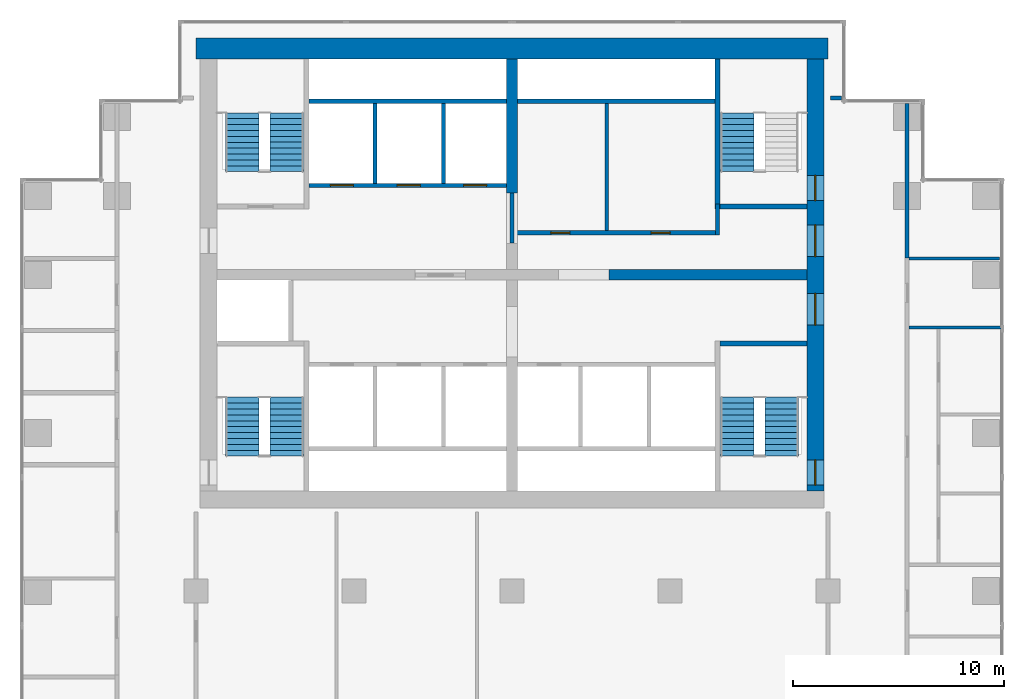
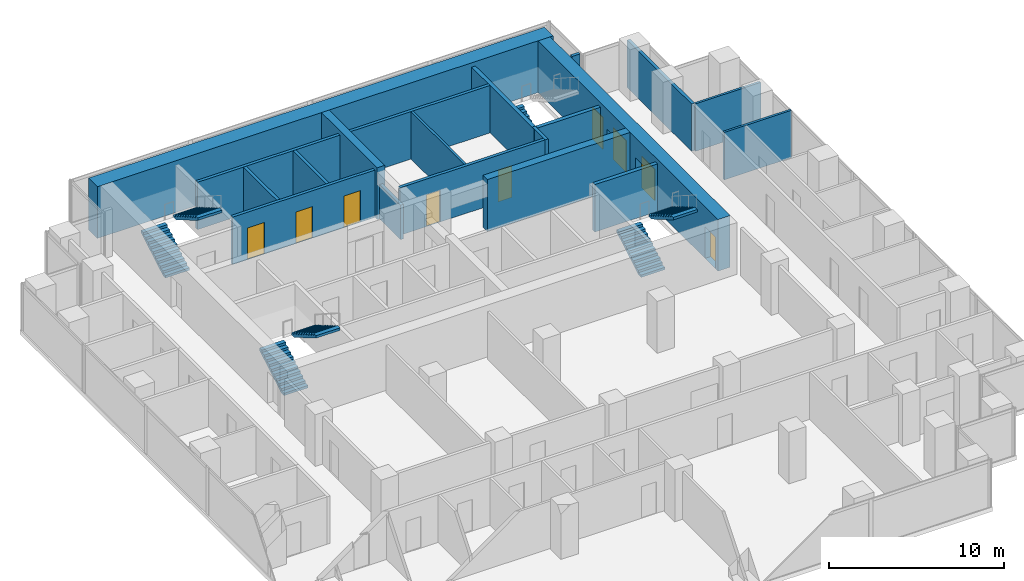
# One storey, part 9 of 11: 20 walls, 9 doors, 7 stair flights, 9 openings, 4 elements without a shape of their own.
"""IFC4 building model written with IfcOpenShell, lengths in metres."""

from ifc_helpers import new_model, si_unit, direction, frame, frame_2d, origin, place, context, subcontext, project, spatial, polyline, rectangle, outline, extrude, material, layer, layer_set, type_object, element, fill, aggregate, save


model = new_model("IFC4")

# Units and contexts
model_context = context("Model", 3, precision=1e-05, world=origin(), true_north=direction((0.0, 1.0)))
body_context = subcontext(model_context, "Body", "Model", "MODEL_VIEW")
ifc_project = project(units=[si_unit("LENGTHUNIT", "METRE"), si_unit("AREAUNIT", "SQUARE_METRE"), si_unit("VOLUMEUNIT", "CUBIC_METRE"), si_unit("PLANEANGLEUNIT", "RADIAN"), si_unit("MASSUNIT", "GRAM", prefix="KILO")], contexts=[model_context])

# Site, building, storey
site_placement = place(None, origin())
site = spatial("IfcSite", under=ifc_project, at=site_placement, CompositionType="ELEMENT")
building_placement = place(site_placement, origin())
building = spatial("IfcBuilding", under=site, at=building_placement, Name="Pilkhan Gate Tower", CompositionType="ELEMENT")
storey_placement = place(building_placement, frame((0.0, 0.0, 121.60009765625)))
storey = spatial("IfcBuildingStorey", under=building, at=storey_placement, Name="L30", CompositionType="ELEMENT", Elevation=121.60009765625)

# Wall
ifc_material_1 = material(Name="Concrete C60/75", Category="concrete")
ifc_layer_1 = layer(ifc_material_1, 1.0)
ifc_layer_set_1 = layer_set([ifc_layer_1], Name="Core wall CW1000 C60/75")
wall_type_1 = type_object("IfcWallType", Name="Core wall CW1000 C60/75", PredefinedType="SHEAR", material=ifc_layer_set_1)
wall_1_placement = place(storey_placement, frame((90.0, 93.25, 0.0), z_axis=(0.0, 0.0, 1.0), x_axis=(-1.0, 0.0, 0.0)))
element("IfcWall", 1, at=wall_1_placement, inside=storey, type_object=wall_type_1, Name="Core wall N L30", PredefinedType="SHEAR", context=body_context, shape_type="SweptSolid", body=[
    extrude(rectangle(XDim=30.0, YDim=1.0, at=frame_2d((15.0, 0.0))), origin(), (0.0, 0.0, 1.0), 3.599853515625),
])

# Wall, openings, doors
ifc_layer_2 = layer(ifc_material_1, 0.800048828125)
ifc_layer_set_2 = layer_set([ifc_layer_2], Name="Core wall CW800 C60/75")
wall_type_2 = type_object("IfcWallType", Name="Core wall CW800 C60/75", PredefinedType="SHEAR", material=ifc_layer_set_2)
wall_2_placement = place(storey_placement, frame((89.39990234375, 72.25, 0.0), z_axis=(0.0, 0.0, 1.0), x_axis=(0.0, 1.0, 0.0)))
wall_2 = element("IfcWall", 2, at=wall_2_placement, inside=storey, type_object=wall_type_2, Name="Core wall E L30", PredefinedType="SHEAR", context=body_context, shape_type="SweptSolid", body=[
    extrude(rectangle(XDim=20.5, YDim=0.800048828125, at=frame_2d((10.25, 0.0))), origin(), (0.0, 0.0, 1.0), 3.599853515625),
])
opening_1_placement = place(wall_2_placement, frame((0.27490234375, 0.0, 0.0)))
opening_1 = element("IfcOpeningElement", 3, at=opening_1_placement, cuts=wall_2, Name="Opening L30-03", PredefinedType="OPENING", context=body_context, shape_type="SweptSolid", body=[
    extrude(rectangle(XDim=1.199951171875, YDim=2.199951171875, at=frame_2d((0.60009765625, 1.10009765625))), frame((0.0, 0.409912109375, 0.0), z_axis=(0.0, -1.0, 0.0), x_axis=(1.0, 0.0, 0.0)), (0.0, 0.0, 1.0), 0.820068359375),
])
opening_2_placement = place(wall_2_placement, frame((13.77490234375, 0.0, 0.0)))
opening_2 = element("IfcOpeningElement", 4, at=opening_2_placement, cuts=wall_2, Name="Opening L30-05", PredefinedType="OPENING", context=body_context, shape_type="SweptSolid", body=[
    extrude(rectangle(XDim=1.199951171875, YDim=2.199951171875, at=frame_2d((0.60009765625, 1.10009765625))), frame((0.0, 0.409912109375, 0.0), z_axis=(0.0, -1.0, 0.0), x_axis=(1.0, 0.0, 0.0)), (0.0, 0.0, 1.0), 0.820068359375),
])
opening_3_placement = place(wall_2_placement, frame((7.875, 0.0, 0.0)))
opening_3 = element("IfcOpeningElement", 5, at=opening_3_placement, cuts=wall_2, Name="Opening L30-13", PredefinedType="OPENING", context=body_context, shape_type="SweptSolid", body=[
    extrude(rectangle(XDim=1.5, YDim=2.199951171875, at=frame_2d((0.75, 1.10009765625))), frame((0.0, 0.409912109375, 0.0), z_axis=(0.0, -1.0, 0.0), x_axis=(1.0, 0.0, 0.0)), (0.0, 0.0, 1.0), 0.820068359375),
])
opening_4_placement = place(wall_2_placement, frame((11.125, 0.0, 0.0)))
opening_4 = element("IfcOpeningElement", 6, at=opening_4_placement, cuts=wall_2, Name="Opening L30-15", PredefinedType="OPENING", context=body_context, shape_type="SweptSolid", body=[
    extrude(rectangle(XDim=1.5, YDim=2.199951171875, at=frame_2d((0.75, 1.10009765625))), frame((0.0, 0.409912109375, 0.0), z_axis=(0.0, -1.0, 0.0), x_axis=(1.0, 0.0, 0.0)), (0.0, 0.0, 1.0), 0.820068359375),
])
ifc_material_2 = material(Name="Steel framed glazed door, 60 minute fire resisting", Category="steel")
door_type_1 = type_object("IfcDoorType", Name="Lobby door D09 1500x2200", OperationType="DOUBLE_DOOR_SINGLE_SWING", PredefinedType="DOOR", material=ifc_material_2)
door_1_placement = place(opening_3_placement, origin())
door_1 = element("IfcDoor", 7, at=door_1_placement, inside=storey, type_object=door_type_1, Name="Core door", OperationType="DOUBLE_DOOR_SINGLE_SWING", OverallHeight=2.199951171875, OverallWidth=1.5, PredefinedType="DOOR", context=body_context, shape_type="SweptSolid", body=[
    extrude(rectangle(XDim=1.5, YDim=2.199951171875, at=frame_2d((0.75, 1.10009765625))), frame((0.0, 0.02490234375, 0.0), z_axis=(0.0, -1.0, 0.0), x_axis=(1.0, 0.0, 0.0)), (0.0, 0.0, 1.0), 0.050048828125),
])
fill(opening_3, door_1)
door_2_placement = place(opening_4_placement, origin())
door_2 = element("IfcDoor", 8, at=door_2_placement, inside=storey, type_object=door_type_1, Name="Core door", OperationType="DOUBLE_DOOR_SINGLE_SWING", OverallHeight=2.199951171875, OverallWidth=1.5, PredefinedType="DOOR", context=body_context, shape_type="SweptSolid", body=[
    extrude(rectangle(XDim=1.5, YDim=2.199951171875, at=frame_2d((0.75, 1.10009765625))), frame((0.0, 0.02490234375, 0.0), z_axis=(0.0, -1.0, 0.0), x_axis=(1.0, 0.0, 0.0)), (0.0, 0.0, 1.0), 0.050048828125),
])
fill(opening_4, door_2)
ifc_material_3 = material(Name="Steel door, 120 minute fire resisting, panic bar", Category="steel")
door_type_2 = type_object("IfcDoorType", Name="Stair door D11 1200x2200", OperationType="SINGLE_SWING_LEFT", PredefinedType="DOOR", material=ifc_material_3)
door_3_placement = place(opening_1_placement, origin())
door_3 = element("IfcDoor", 9, at=door_3_placement, inside=storey, type_object=door_type_2, Name="Stair ST1 door", OperationType="SINGLE_SWING_LEFT", OverallHeight=2.199951171875, OverallWidth=1.199951171875, PredefinedType="DOOR", context=body_context, shape_type="SweptSolid", body=[
    extrude(rectangle(XDim=1.199951171875, YDim=2.199951171875, at=frame_2d((0.60009765625, 1.10009765625))), frame((0.0, 0.02490234375, 0.0), z_axis=(0.0, -1.0, 0.0), x_axis=(1.0, 0.0, 0.0)), (0.0, 0.0, 1.0), 0.050048828125),
])
fill(opening_1, door_3)
door_4_placement = place(opening_2_placement, origin())
door_4 = element("IfcDoor", 10, at=door_4_placement, inside=storey, type_object=door_type_2, Name="Stair ST4 door", OperationType="SINGLE_SWING_LEFT", OverallHeight=2.199951171875, OverallWidth=1.199951171875, PredefinedType="DOOR", context=body_context, shape_type="SweptSolid", body=[
    extrude(rectangle(XDim=1.199951171875, YDim=2.199951171875, at=frame_2d((0.60009765625, 1.10009765625))), frame((0.0, 0.02490234375, 0.0), z_axis=(0.0, -1.0, 0.0), x_axis=(1.0, 0.0, 0.0)), (0.0, 0.0, 1.0), 0.050048828125),
])
fill(opening_2, door_4)

# Walls
ifc_material_4 = material(Name="Dense blockwork", Category="masonry")
ifc_layer_3 = layer(ifc_material_4, 0.199951171875)
ifc_layer_set_3 = layer_set([ifc_layer_3], Name="Corridor wall FW200")
wall_type_3 = type_object("IfcWallType", Name="Corridor wall FW200", PredefinedType="PARTITIONING", material=ifc_layer_set_3)
wall_3_placement = place(storey_placement, frame((90.1201171875, 90.89990234375, 0.0), z_axis=(0.0, 0.0, 1.0), x_axis=(1.0, 0.0, 0.0)))
element("IfcWall", 11, at=wall_3_placement, inside=storey, type_object=wall_type_3, Name="Partition L30", PredefinedType="PARTITIONING", context=body_context, shape_type="SweptSolid", body=[
    extrude(rectangle(XDim=0.52490234375, YDim=0.199951171875, at=frame_2d((0.262451171875, 0.0))), origin(), (0.0, 0.0, 1.0), 3.2998046875),
])
wall_4_placement = place(storey_placement, frame((93.75, 83.31005859375, 0.0), z_axis=(0.0, 0.0, 1.0), x_axis=(0.0, 1.0, 0.0)))
element("IfcWall", 12, at=wall_4_placement, inside=storey, type_object=wall_type_3, Name="Partition L30", PredefinedType="PARTITIONING", context=body_context, shape_type="SweptSolid", body=[
    extrude(rectangle(XDim=7.3349609375, YDim=0.199951171875, at=frame_2d((3.66748046875, 0.0))), origin(), (0.0, 0.0, 1.0), 3.2998046875),
])

# Wall, openings, doors
ifc_layer_4 = layer(ifc_material_4, 0.199951171875)
ifc_layer_set_4 = layer_set([ifc_layer_4], Name="Lobby wall LW200")
wall_type_4 = type_object("IfcWallType", Name="Lobby wall LW200", PredefinedType="PARTITIONING", material=ifc_layer_set_4)
wall_5_placement = place(storey_placement, frame((75.10009765625, 84.5, 0.0), z_axis=(0.0, 0.0, 1.0), x_axis=(1.0, 0.0, 0.0)))
wall_5 = element("IfcWall", 13, at=wall_5_placement, inside=storey, type_object=wall_type_4, Name="Partition L30", PredefinedType="PARTITIONING", context=body_context, shape_type="SweptSolid", body=[
    extrude(rectangle(XDim=9.5498046875, YDim=0.199951171875, at=frame_2d((4.77490234375, 0.0))), origin(), (0.0, 0.0, 1.0), 3.2998046875),
])
opening_5_placement = place(wall_5_placement, frame((1.75, 0.0, 0.0)))
opening_5 = element("IfcOpeningElement", 14, at=opening_5_placement, cuts=wall_5, Name="Opening L30-16", PredefinedType="OPENING", context=body_context, shape_type="SweptSolid", body=[
    extrude(rectangle(XDim=0.89990234375, YDim=2.199951171875, at=frame_2d((0.449951171875, 1.10009765625))), frame((0.0, 0.10986328125, 0.0), z_axis=(0.0, -1.0, 0.0), x_axis=(1.0, 0.0, 0.0)), (0.0, 0.0, 1.0), 0.219970703125),
])
opening_6_placement = place(wall_5_placement, frame((6.5, 0.0, 0.0)))
opening_6 = element("IfcOpeningElement", 15, at=opening_6_placement, cuts=wall_5, Name="Opening L30-17", PredefinedType="OPENING", context=body_context, shape_type="SweptSolid", body=[
    extrude(rectangle(XDim=0.89990234375, YDim=2.199951171875, at=frame_2d((0.449951171875, 1.10009765625))), frame((0.0, 0.10986328125, 0.0), z_axis=(0.0, -1.0, 0.0), x_axis=(1.0, 0.0, 0.0)), (0.0, 0.0, 1.0), 0.219970703125),
])
ifc_material_5 = material(Name="Timber flush door, 60 minute fire resisting, self-closing", Category="wood")
door_type_3 = type_object("IfcDoorType", Name="Store door D05 900x2200", OperationType="SINGLE_SWING_LEFT", PredefinedType="DOOR", material=ifc_material_5)
door_5_placement = place(opening_5_placement, origin())
door_5 = element("IfcDoor", 16, at=door_5_placement, inside=storey, type_object=door_type_3, Name="Store door", OperationType="SINGLE_SWING_RIGHT", OverallHeight=2.199951171875, OverallWidth=0.89990234375, PredefinedType="DOOR", context=body_context, shape_type="SweptSolid", body=[
    extrude(rectangle(XDim=0.89990234375, YDim=2.199951171875, at=frame_2d((0.449951171875, 1.10009765625))), frame((0.0, 0.02490234375, 0.0), z_axis=(0.0, -1.0, 0.0), x_axis=(1.0, 0.0, 0.0)), (0.0, 0.0, 1.0), 0.050048828125),
])
fill(opening_5, door_5)
door_6_placement = place(opening_6_placement, origin())
door_6 = element("IfcDoor", 17, at=door_6_placement, inside=storey, type_object=door_type_3, Name="Store door", OperationType="SINGLE_SWING_RIGHT", OverallHeight=2.199951171875, OverallWidth=0.89990234375, PredefinedType="DOOR", context=body_context, shape_type="SweptSolid", body=[
    extrude(rectangle(XDim=0.89990234375, YDim=2.199951171875, at=frame_2d((0.449951171875, 1.10009765625))), frame((0.0, 0.02490234375, 0.0), z_axis=(0.0, -1.0, 0.0), x_axis=(1.0, 0.0, 0.0)), (0.0, 0.0, 1.0), 0.050048828125),
])
fill(opening_6, door_6)

# Walls
wall_6_placement = place(storey_placement, frame((75.260009765625, 90.75, 0.0), z_axis=(0.0, 0.0, 1.0), x_axis=(1.0, 0.0, 0.0)))
element("IfcWall", 18, at=wall_6_placement, inside=storey, type_object=wall_type_4, Name="Partition L30", PredefinedType="PARTITIONING", context=body_context, shape_type="SweptSolid", body=[
    extrude(rectangle(XDim=9.364990234375, YDim=0.199951171875, at=frame_2d((4.6826171875, 0.0))), origin(), (0.0, 0.0, 1.0), 3.2998046875),
])
wall_7_placement = place(storey_placement, frame((75.0, 84.010009765625, 0.0), z_axis=(0.0, 0.0, 1.0), x_axis=(0.0, 1.0, 0.0)))
element("IfcWall", 19, at=wall_7_placement, inside=storey, type_object=wall_type_4, Name="Partition L30", PredefinedType="PARTITIONING", context=body_context, shape_type="SweptSolid", body=[
    extrude(rectangle(XDim=2.3798828125, YDim=0.199951171875, at=frame_2d((1.18994140625, 0.0))), origin(), (0.0, 0.0, 1.0), 2.39990234375),
])
wall_8_placement = place(storey_placement, frame((84.75, 84.39990234375, 0.0), z_axis=(0.0, 0.0, 1.0), x_axis=(0.0, 1.0, 0.0)))
element("IfcWall", 20, at=wall_8_placement, inside=storey, type_object=wall_type_4, Name="Partition L30", PredefinedType="PARTITIONING", context=body_context, shape_type="SweptSolid", body=[
    extrude(rectangle(XDim=1.47509765625, YDim=0.199951171875, at=frame_2d((0.737548828125, 0.0))), origin(), (0.0, 0.0, 1.0), 3.2998046875),
])
ifc_material_6 = material(Name="Blockwork partition, plastered both sides", Category="masonry")
ifc_layer_5 = layer(ifc_material_6, 0.14990234375)
ifc_layer_set_5 = layer_set([ifc_layer_5], Name="Partition PW150")
wall_type_5 = type_object("IfcWallType", Name="Partition PW150", PredefinedType="PARTITIONING", material=ifc_layer_set_5)
wall_9_placement = place(storey_placement, frame((93.85009765625, 80.0, 0.0), z_axis=(0.0, 0.0, 1.0), x_axis=(1.0, 0.0, 0.0)))
element("IfcWall", 21, at=wall_9_placement, inside=storey, type_object=wall_type_5, Name="Partition L30", PredefinedType="PARTITIONING", context=body_context, shape_type="SweptSolid", body=[
    extrude(rectangle(XDim=4.414794921875, YDim=0.14990234375, at=frame_2d((2.20751953125, 0.0))), origin(), (0.0, 0.0, 1.0), 3.2998046875),
])
wall_10_placement = place(storey_placement, frame((93.85009765625, 83.280029296875, 0.0), z_axis=(0.0, 0.0, 1.0), x_axis=(1.0, 0.0, 0.0)))
element("IfcWall", 22, at=wall_10_placement, inside=storey, type_object=wall_type_5, Name="Partition L30", PredefinedType="PARTITIONING", context=body_context, shape_type="SweptSolid", body=[
    extrude(rectangle(XDim=4.294921875, YDim=0.14990234375, at=frame_2d((2.1474609375, 0.0))), origin(), (0.0, 0.0, 1.0), 3.2998046875),
])
wall_11_placement = place(storey_placement, frame((79.5, 84.60009765625, 0.0), z_axis=(0.0, 0.0, 1.0), x_axis=(0.0, 1.0, 0.0)))
element("IfcWall", 23, at=wall_11_placement, inside=storey, type_object=wall_type_5, Name="Partition L30", PredefinedType="PARTITIONING", context=body_context, shape_type="SweptSolid", body=[
    extrude(rectangle(XDim=6.0498046875, YDim=0.14990234375, at=frame_2d((3.02490234375, 0.0))), origin(), (0.0, 0.0, 1.0), 3.2998046875),
])

# Wall, openings, doors
ifc_material_7 = material(Name="Reinforced blockwork shaft wall, 120 minute fire resisting", Category="masonry")
ifc_layer_6 = layer(ifc_material_7, 0.199951171875)
ifc_layer_set_6 = layer_set([ifc_layer_6], Name="Shaft wall SW200")
wall_type_6 = type_object("IfcWallType", Name="Shaft wall SW200", PredefinedType="PARTITIONING", material=ifc_layer_set_6)
wall_12_placement = place(storey_placement, frame((65.375, 86.75, 0.0), z_axis=(0.0, 0.0, 1.0), x_axis=(1.0, 0.0, 0.0)))
wall_12 = element("IfcWall", 24, at=wall_12_placement, inside=storey, type_object=wall_type_6, Name="Partition L30", PredefinedType="PARTITIONING", context=body_context, shape_type="SweptSolid", body=[
    extrude(rectangle(XDim=9.364990234375, YDim=0.199951171875, at=frame_2d((4.6826171875, 0.0))), origin(), (0.0, 0.0, 1.0), 3.2998046875),
])
opening_7_placement = place(wall_12_placement, frame((1.0, 0.0, 0.0)))
opening_7 = element("IfcOpeningElement", 25, at=opening_7_placement, cuts=wall_12, Name="Opening LD", PredefinedType="OPENING", context=body_context, shape_type="SweptSolid", body=[
    extrude(rectangle(XDim=1.10009765625, YDim=2.199951171875, at=frame_2d((0.550048828125, 1.10009765625))), frame((0.0, 0.10986328125, 0.0), z_axis=(0.0, -1.0, 0.0), x_axis=(1.0, 0.0, 0.0)), (0.0, 0.0, 1.0), 0.219970703125),
])
opening_8_placement = place(wall_12_placement, frame((4.175048828125, 0.0, 0.0)))
opening_8 = element("IfcOpeningElement", 26, at=opening_8_placement, cuts=wall_12, Name="Opening LD", PredefinedType="OPENING", context=body_context, shape_type="SweptSolid", body=[
    extrude(rectangle(XDim=1.10009765625, YDim=2.199951171875, at=frame_2d((0.550048828125, 1.10009765625))), frame((0.0, 0.10986328125, 0.0), z_axis=(0.0, -1.0, 0.0), x_axis=(1.0, 0.0, 0.0)), (0.0, 0.0, 1.0), 0.219970703125),
])
opening_9_placement = place(wall_12_placement, frame((7.324951171875, 0.0, 0.0)))
opening_9 = element("IfcOpeningElement", 27, at=opening_9_placement, cuts=wall_12, Name="Opening LD", PredefinedType="OPENING", context=body_context, shape_type="SweptSolid", body=[
    extrude(rectangle(XDim=1.10009765625, YDim=2.199951171875, at=frame_2d((0.550048828125, 1.10009765625))), frame((0.0, 0.10986328125, 0.0), z_axis=(0.0, -1.0, 0.0), x_axis=(1.0, 0.0, 0.0)), (0.0, 0.0, 1.0), 0.219970703125),
])
ifc_material_8 = material(Name="Stainless steel centre-opening landing door, 120 minute fire resisting", Category="steel")
door_type_4 = type_object("IfcDoorType", Name="Lift landing door LD 1100x2200", OperationType="DOUBLE_DOOR_SLIDING", PredefinedType="DOOR", material=ifc_material_8)
door_7_placement = place(opening_7_placement, origin())
door_7 = element("IfcDoor", 28, at=door_7_placement, inside=storey, type_object=door_type_4, Name="Landing door FF1", OperationType="DOUBLE_DOOR_SLIDING", OverallHeight=2.199951171875, OverallWidth=1.10009765625, PredefinedType="DOOR", context=body_context, shape_type="SweptSolid", body=[
    extrude(rectangle(XDim=1.10009765625, YDim=2.199951171875, at=frame_2d((0.550048828125, 1.10009765625))), frame((0.0, 0.02490234375, 0.0), z_axis=(0.0, -1.0, 0.0), x_axis=(1.0, 0.0, 0.0)), (0.0, 0.0, 1.0), 0.050048828125),
])
fill(opening_7, door_7)
door_8_placement = place(opening_8_placement, origin())
door_8 = element("IfcDoor", 29, at=door_8_placement, inside=storey, type_object=door_type_4, Name="Landing door FF2", OperationType="DOUBLE_DOOR_SLIDING", OverallHeight=2.199951171875, OverallWidth=1.10009765625, PredefinedType="DOOR", context=body_context, shape_type="SweptSolid", body=[
    extrude(rectangle(XDim=1.10009765625, YDim=2.199951171875, at=frame_2d((0.550048828125, 1.10009765625))), frame((0.0, 0.02490234375, 0.0), z_axis=(0.0, -1.0, 0.0), x_axis=(1.0, 0.0, 0.0)), (0.0, 0.0, 1.0), 0.050048828125),
])
fill(opening_8, door_8)
door_9_placement = place(opening_9_placement, origin())
door_9 = element("IfcDoor", 30, at=door_9_placement, inside=storey, type_object=door_type_4, Name="Landing door SV1", OperationType="DOUBLE_DOOR_SLIDING", OverallHeight=2.199951171875, OverallWidth=1.10009765625, PredefinedType="DOOR", context=body_context, shape_type="SweptSolid", body=[
    extrude(rectangle(XDim=1.10009765625, YDim=2.199951171875, at=frame_2d((0.550048828125, 1.10009765625))), frame((0.0, 0.02490234375, 0.0), z_axis=(0.0, -1.0, 0.0), x_axis=(1.0, 0.0, 0.0)), (0.0, 0.0, 1.0), 0.050048828125),
])
fill(opening_9, door_9)

# Walls
wall_13_placement = place(storey_placement, frame((65.375, 90.75, 0.0), z_axis=(0.0, 0.0, 1.0), x_axis=(1.0, 0.0, 0.0)))
element("IfcWall", 31, at=wall_13_placement, inside=storey, type_object=wall_type_6, Name="Partition L30", PredefinedType="PARTITIONING", context=body_context, shape_type="SweptSolid", body=[
    extrude(rectangle(XDim=9.364990234375, YDim=0.199951171875, at=frame_2d((4.6826171875, 0.0))), origin(), (0.0, 0.0, 1.0), 3.2998046875),
])
for number, where, z_axis, x_axis, name in (
    (32, (68.5, 86.85009765625, 0.0), (0.0, 0.0, 1.0), (0.0, 1.0, 0.0), "Partition L30"),
    (33, (71.75, 86.85009765625, 0.0), (0.0, 0.0, 1.0), (0.0, 1.0, 0.0), "Partition L30"),
):
    element("IfcWall", number, at=place(storey_placement, frame(where, z_axis=z_axis, x_axis=x_axis)), inside=storey, type_object=wall_type_6, Name=name, PredefinedType="PARTITIONING", context=body_context, shape_type="SweptSolid", body=[
        extrude(rectangle(XDim=3.7998046875, YDim=0.199951171875, at=frame_2d((1.89990234375, 0.0))), origin(), (0.0, 0.0, 1.0), 3.2998046875),
    ])
ifc_layer_7 = layer(ifc_material_1, 0.5)
ifc_layer_set_7 = layer_set([ifc_layer_7], Name="Spine wall SW500 C60/75")
wall_type_7 = type_object("IfcWallType", Name="Spine wall SW500 C60/75", PredefinedType="SHEAR", material=ifc_layer_set_7)
wall_14_placement = place(storey_placement, frame((79.60009765625, 82.5, 0.0), z_axis=(0.0, 0.0, 1.0), x_axis=(1.0, 0.0, 0.0)))
element("IfcWall", 34, at=wall_14_placement, inside=storey, type_object=wall_type_7, Name="Spine wall SP-EW3 L30", PredefinedType="SHEAR", context=body_context, shape_type="SweptSolid", body=[
    extrude(rectangle(XDim=9.39990234375, YDim=0.5, at=frame_2d((4.699951171875, 0.0))), origin(), (0.0, 0.0, 1.0), 3.599853515625),
])
wall_15_placement = place(storey_placement, frame((75.0, 86.39990234375, 0.0), z_axis=(0.0, 0.0, 1.0), x_axis=(0.0, 1.0, 0.0)))
element("IfcWall", 35, at=wall_15_placement, inside=storey, type_object=wall_type_7, Name="Spine wall SP-NS-N2 L30", PredefinedType="SHEAR", context=body_context, shape_type="SweptSolid", body=[
    extrude(rectangle(XDim=6.35009765625, YDim=0.5, at=frame_2d((3.175048828125, 0.0))), origin(), (0.0, 0.0, 1.0), 3.599853515625),
])
ifc_material_9 = material(Name="Reinforced blockwork, 120 minute fire resisting", Category="masonry")
ifc_layer_8 = layer(ifc_material_9, 0.25)
ifc_layer_set_8 = layer_set([ifc_layer_8], Name="Stair enclosure wall SE250")
wall_type_8 = type_object("IfcWallType", Name="Stair enclosure wall SE250", PredefinedType="PARTITIONING", material=ifc_layer_set_8)
for number, where, z_axis, x_axis, name in (
    (36, (84.875, 79.25, 0.0), (0.0, 0.0, 1.0), (1.0, 0.0, 0.0), "Partition L30"),
    (37, (84.875, 85.75, 0.0), (0.0, 0.0, 1.0), (1.0, 0.0, 0.0), "Partition L30"),
):
    element("IfcWall", number, at=place(storey_placement, frame(where, z_axis=z_axis, x_axis=x_axis)), inside=storey, type_object=wall_type_8, Name=name, PredefinedType="PARTITIONING", context=body_context, shape_type="SweptSolid", body=[
        extrude(rectangle(XDim=4.125, YDim=0.25, at=frame_2d((2.0625, 0.0))), origin(), (0.0, 0.0, 1.0), 3.2998046875),
    ])
wall_16_placement = place(storey_placement, frame((84.75, 85.625, 0.0), z_axis=(0.0, 0.0, 1.0), x_axis=(0.0, 1.0, 0.0)))
element("IfcWall", 38, at=wall_16_placement, inside=storey, type_object=wall_type_8, Name="Partition L30", PredefinedType="PARTITIONING", context=body_context, shape_type="SweptSolid", body=[
    extrude(rectangle(XDim=7.114990234375, YDim=0.25, at=frame_2d((3.5576171875, 0.0))), origin(), (0.0, 0.0, 1.0), 3.2998046875),
])

# Stair, stair flights
ifc_material_10 = material(Name="Concrete C40/50 precast", Category="concrete")
stair_type_1 = type_object("IfcStairType", Name="Stair ST1 164x280", PredefinedType="HALF_TURN_STAIR", material=ifc_material_10)
stair_1_placement = place(storey_placement, origin())
stair_1 = element("IfcStair", 39, at=stair_1_placement, inside=storey, type_object=stair_type_1, Name="Stair ST1 L30", PredefinedType="HALF_TURN_STAIR")
stair_flight_type_1 = type_object("IfcStairFlightType", Name="Stair flight ST1 164x280x11", PredefinedType="STRAIGHT", material=ifc_material_10)
stair_flight_1_placement = place(storey_placement, frame((85.68994140625, 73.89990234375, 0.0), z_axis=(0.0, 0.0, 1.0), x_axis=(0.0, 1.0, 0.0)))
stair_flight_1 = element("IfcStairFlight", 40, at=stair_flight_1_placement, type_object=stair_flight_type_1, Name="ST1 flight 1", NumberOfRisers=11, NumberOfTreads=10, PredefinedType="STRAIGHT", RiserHeight=0.163636364, TreadLength=0.28, context=body_context, shape_type="SweptSolid", body=[
    extrude(outline(polyline([(0.0, 0.0), (0.0, 0.16357421875), (0.280029296875, 0.16357421875), (0.280029296875, 0.327392578125), (0.56005859375, 0.327392578125), (0.56005859375, 0.490966796875), (0.840087890625, 0.490966796875), (0.840087890625, 0.654541015625), (1.1201171875, 0.654541015625), (1.1201171875, 0.818115234375), (1.39990234375, 0.818115234375), (1.39990234375, 0.98193359375), (1.679931640625, 0.98193359375), (1.679931640625, 1.1455078125), (1.9599609375, 1.1455078125), (1.9599609375, 1.30908203125), (2.239990234375, 1.30908203125), (2.239990234375, 1.47265625), (2.52001953125, 1.47265625), (2.52001953125, 1.636474609375), (2.800048828125, 1.636474609375), (2.800048828125, 1.800048828125), (2.800048828125, 1.462646484375), (0.297119140625, 0.0), (0.0, 0.0)])), frame((0.0, 0.7900390625, 0.0), z_axis=(0.0, -1.0, 0.0), x_axis=(1.0, 0.0, 0.0)), (0.0, 0.0, 1.0), 1.580078125),
])
stair_flight_2_placement = place(storey_placement, frame((87.81005859375, 76.699951171875, 1.7998046875), z_axis=(0.0, 0.0, 1.0), x_axis=(0.0, -1.0, 0.0)))
stair_flight_2 = element("IfcStairFlight", 41, at=stair_flight_2_placement, type_object=stair_flight_type_1, Name="ST1 flight 2", NumberOfRisers=11, NumberOfTreads=10, PredefinedType="STRAIGHT", RiserHeight=0.163636364, TreadLength=0.28, context=body_context, shape_type="SweptSolid", body=[
    extrude(outline(polyline([(0.0, 0.0), (0.0, 0.16357421875), (0.280029296875, 0.16357421875), (0.280029296875, 0.327392578125), (0.56005859375, 0.327392578125), (0.56005859375, 0.490966796875), (0.840087890625, 0.490966796875), (0.840087890625, 0.654541015625), (1.1201171875, 0.654541015625), (1.1201171875, 0.818115234375), (1.39990234375, 0.818115234375), (1.39990234375, 0.98193359375), (1.679931640625, 0.98193359375), (1.679931640625, 1.1455078125), (1.9599609375, 1.1455078125), (1.9599609375, 1.30908203125), (2.239990234375, 1.30908203125), (2.239990234375, 1.47265625), (2.52001953125, 1.47265625), (2.52001953125, 1.636474609375), (2.800048828125, 1.636474609375), (2.800048828125, 1.800048828125), (2.800048828125, 1.462646484375), (0.297119140625, 0.0), (0.0, 0.0)])), frame((0.0, 0.7900390625, 0.0), z_axis=(0.0, -1.0, 0.0), x_axis=(1.0, 0.0, 0.0)), (0.0, 0.0, 1.0), 1.580078125),
])
aggregate(stair_1, [stair_flight_1, stair_flight_2])

stair_type_2 = type_object("IfcStairType", Name="Stair ST2 164x280", PredefinedType="HALF_TURN_STAIR", material=ifc_material_10)
stair_2_placement = place(storey_placement, origin())
stair_2 = element("IfcStair", 42, at=stair_2_placement, inside=storey, type_object=stair_type_2, Name="Stair ST2 L30", PredefinedType="HALF_TURN_STAIR")
stair_flight_type_2 = type_object("IfcStairFlightType", Name="Stair flight ST2 164x280x11", PredefinedType="STRAIGHT", material=ifc_material_10)
stair_flight_3_placement = place(storey_placement, frame((62.18994140625, 73.89990234375, 0.0), z_axis=(0.0, 0.0, 1.0), x_axis=(0.0, 1.0, 0.0)))
stair_flight_3 = element("IfcStairFlight", 43, at=stair_flight_3_placement, type_object=stair_flight_type_2, Name="ST2 flight 1", NumberOfRisers=11, NumberOfTreads=10, PredefinedType="STRAIGHT", RiserHeight=0.163636364, TreadLength=0.28, context=body_context, shape_type="SweptSolid", body=[
    extrude(outline(polyline([(0.0, 0.0), (0.0, 0.16357421875), (0.280029296875, 0.16357421875), (0.280029296875, 0.327392578125), (0.56005859375, 0.327392578125), (0.56005859375, 0.490966796875), (0.840087890625, 0.490966796875), (0.840087890625, 0.654541015625), (1.1201171875, 0.654541015625), (1.1201171875, 0.818115234375), (1.39990234375, 0.818115234375), (1.39990234375, 0.98193359375), (1.679931640625, 0.98193359375), (1.679931640625, 1.1455078125), (1.9599609375, 1.1455078125), (1.9599609375, 1.30908203125), (2.239990234375, 1.30908203125), (2.239990234375, 1.47265625), (2.52001953125, 1.47265625), (2.52001953125, 1.636474609375), (2.800048828125, 1.636474609375), (2.800048828125, 1.800048828125), (2.800048828125, 1.462646484375), (0.297119140625, 0.0), (0.0, 0.0)])), frame((0.0, 0.7900390625, 0.0), z_axis=(0.0, -1.0, 0.0), x_axis=(1.0, 0.0, 0.0)), (0.0, 0.0, 1.0), 1.580078125),
])
stair_flight_4_placement = place(storey_placement, frame((64.31005859375, 76.699951171875, 1.7998046875), z_axis=(0.0, 0.0, 1.0), x_axis=(0.0, -1.0, 0.0)))
stair_flight_4 = element("IfcStairFlight", 44, at=stair_flight_4_placement, type_object=stair_flight_type_2, Name="ST2 flight 2", NumberOfRisers=11, NumberOfTreads=10, PredefinedType="STRAIGHT", RiserHeight=0.163636364, TreadLength=0.28, context=body_context, shape_type="SweptSolid", body=[
    extrude(outline(polyline([(0.0, 0.0), (0.0, 0.16357421875), (0.280029296875, 0.16357421875), (0.280029296875, 0.327392578125), (0.56005859375, 0.327392578125), (0.56005859375, 0.490966796875), (0.840087890625, 0.490966796875), (0.840087890625, 0.654541015625), (1.1201171875, 0.654541015625), (1.1201171875, 0.818115234375), (1.39990234375, 0.818115234375), (1.39990234375, 0.98193359375), (1.679931640625, 0.98193359375), (1.679931640625, 1.1455078125), (1.9599609375, 1.1455078125), (1.9599609375, 1.30908203125), (2.239990234375, 1.30908203125), (2.239990234375, 1.47265625), (2.52001953125, 1.47265625), (2.52001953125, 1.636474609375), (2.800048828125, 1.636474609375), (2.800048828125, 1.800048828125), (2.800048828125, 1.462646484375), (0.297119140625, 0.0), (0.0, 0.0)])), frame((0.0, 0.7900390625, 0.0), z_axis=(0.0, -1.0, 0.0), x_axis=(1.0, 0.0, 0.0)), (0.0, 0.0, 1.0), 1.580078125),
])
aggregate(stair_2, [stair_flight_3, stair_flight_4])

stair_type_3 = type_object("IfcStairType", Name="Stair ST3 164x280", PredefinedType="HALF_TURN_STAIR", material=ifc_material_10)
stair_3_placement = place(storey_placement, origin())
stair_3 = element("IfcStair", 45, at=stair_3_placement, inside=storey, type_object=stair_type_3, Name="Stair ST3 L30", PredefinedType="HALF_TURN_STAIR")
stair_flight_type_3 = type_object("IfcStairFlightType", Name="Stair flight ST3 164x280x11", PredefinedType="STRAIGHT", material=ifc_material_10)
stair_flight_5_placement = place(storey_placement, frame((62.18994140625, 87.39990234375, 0.0), z_axis=(0.0, 0.0, 1.0), x_axis=(0.0, 1.0, 0.0)))
stair_flight_5 = element("IfcStairFlight", 46, at=stair_flight_5_placement, type_object=stair_flight_type_3, Name="ST3 flight 1", NumberOfRisers=11, NumberOfTreads=10, PredefinedType="STRAIGHT", RiserHeight=0.163636364, TreadLength=0.28, context=body_context, shape_type="SweptSolid", body=[
    extrude(outline(polyline([(0.0, 0.0), (0.0, 0.16357421875), (0.280029296875, 0.16357421875), (0.280029296875, 0.327392578125), (0.56005859375, 0.327392578125), (0.56005859375, 0.490966796875), (0.840087890625, 0.490966796875), (0.840087890625, 0.654541015625), (1.1201171875, 0.654541015625), (1.1201171875, 0.818115234375), (1.39990234375, 0.818115234375), (1.39990234375, 0.98193359375), (1.679931640625, 0.98193359375), (1.679931640625, 1.1455078125), (1.9599609375, 1.1455078125), (1.9599609375, 1.30908203125), (2.239990234375, 1.30908203125), (2.239990234375, 1.47265625), (2.52001953125, 1.47265625), (2.52001953125, 1.636474609375), (2.800048828125, 1.636474609375), (2.800048828125, 1.800048828125), (2.800048828125, 1.462646484375), (0.297119140625, 0.0), (0.0, 0.0)])), frame((0.0, 0.7900390625, 0.0), z_axis=(0.0, -1.0, 0.0), x_axis=(1.0, 0.0, 0.0)), (0.0, 0.0, 1.0), 1.580078125),
])
stair_flight_6_placement = place(storey_placement, frame((64.31005859375, 90.199951171875, 1.7998046875), z_axis=(0.0, 0.0, 1.0), x_axis=(0.0, -1.0, 0.0)))
stair_flight_6 = element("IfcStairFlight", 47, at=stair_flight_6_placement, type_object=stair_flight_type_3, Name="ST3 flight 2", NumberOfRisers=11, NumberOfTreads=10, PredefinedType="STRAIGHT", RiserHeight=0.163636364, TreadLength=0.28, context=body_context, shape_type="SweptSolid", body=[
    extrude(outline(polyline([(0.0, 0.0), (0.0, 0.16357421875), (0.280029296875, 0.16357421875), (0.280029296875, 0.327392578125), (0.56005859375, 0.327392578125), (0.56005859375, 0.490966796875), (0.840087890625, 0.490966796875), (0.840087890625, 0.654541015625), (1.1201171875, 0.654541015625), (1.1201171875, 0.818115234375), (1.39990234375, 0.818115234375), (1.39990234375, 0.98193359375), (1.679931640625, 0.98193359375), (1.679931640625, 1.1455078125), (1.9599609375, 1.1455078125), (1.9599609375, 1.30908203125), (2.239990234375, 1.30908203125), (2.239990234375, 1.47265625), (2.52001953125, 1.47265625), (2.52001953125, 1.636474609375), (2.800048828125, 1.636474609375), (2.800048828125, 1.800048828125), (2.800048828125, 1.462646484375), (0.297119140625, 0.0), (0.0, 0.0)])), frame((0.0, 0.7900390625, 0.0), z_axis=(0.0, -1.0, 0.0), x_axis=(1.0, 0.0, 0.0)), (0.0, 0.0, 1.0), 1.580078125),
])
aggregate(stair_3, [stair_flight_5, stair_flight_6])

# Stair, stair flight
stair_type_4 = type_object("IfcStairType", Name="Stair ST4 164x280", PredefinedType="HALF_TURN_STAIR", material=ifc_material_10)
stair_4_placement = place(storey_placement, origin())
stair_4 = element("IfcStair", 48, at=stair_4_placement, inside=storey, type_object=stair_type_4, Name="Stair ST4 L30", PredefinedType="HALF_TURN_STAIR")
stair_flight_type_4 = type_object("IfcStairFlightType", Name="Stair flight ST4 164x280x11", PredefinedType="STRAIGHT", material=ifc_material_10)
stair_flight_7_placement = place(storey_placement, frame((85.68994140625, 87.39990234375, 0.0), z_axis=(0.0, 0.0, 1.0), x_axis=(0.0, 1.0, 0.0)))
stair_flight_7 = element("IfcStairFlight", 49, at=stair_flight_7_placement, type_object=stair_flight_type_4, Name="ST4 flight 1", NumberOfRisers=11, NumberOfTreads=10, PredefinedType="STRAIGHT", RiserHeight=0.163636364, TreadLength=0.28, context=body_context, shape_type="SweptSolid", body=[
    extrude(outline(polyline([(0.0, 0.0), (0.0, 0.16357421875), (0.280029296875, 0.16357421875), (0.280029296875, 0.327392578125), (0.56005859375, 0.327392578125), (0.56005859375, 0.490966796875), (0.840087890625, 0.490966796875), (0.840087890625, 0.654541015625), (1.1201171875, 0.654541015625), (1.1201171875, 0.818115234375), (1.39990234375, 0.818115234375), (1.39990234375, 0.98193359375), (1.679931640625, 0.98193359375), (1.679931640625, 1.1455078125), (1.9599609375, 1.1455078125), (1.9599609375, 1.30908203125), (2.239990234375, 1.30908203125), (2.239990234375, 1.47265625), (2.52001953125, 1.47265625), (2.52001953125, 1.636474609375), (2.800048828125, 1.636474609375), (2.800048828125, 1.800048828125), (2.800048828125, 1.462646484375), (0.297119140625, 0.0), (0.0, 0.0)])), frame((0.0, 0.7900390625, 0.0), z_axis=(0.0, -1.0, 0.0), x_axis=(1.0, 0.0, 0.0)), (0.0, 0.0, 1.0), 1.580078125),
])
aggregate(stair_4, [stair_flight_7])

save(model, "model.ifc")
